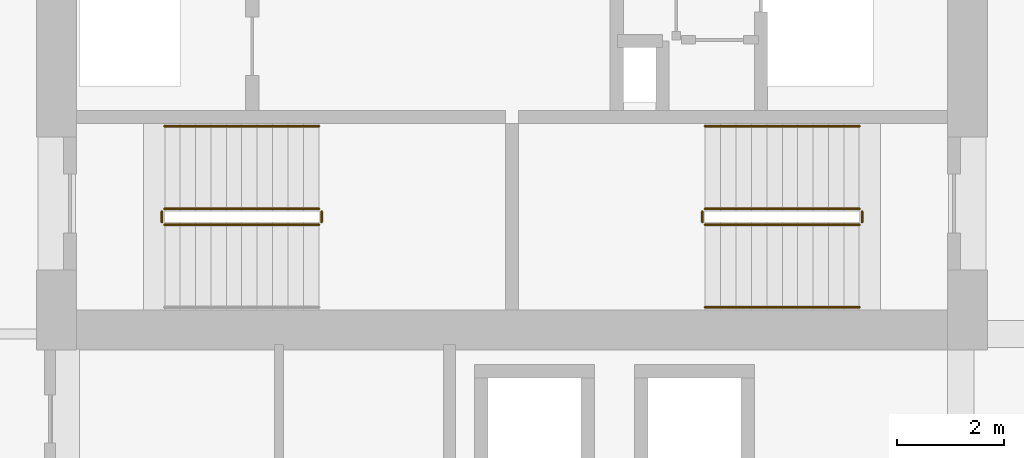
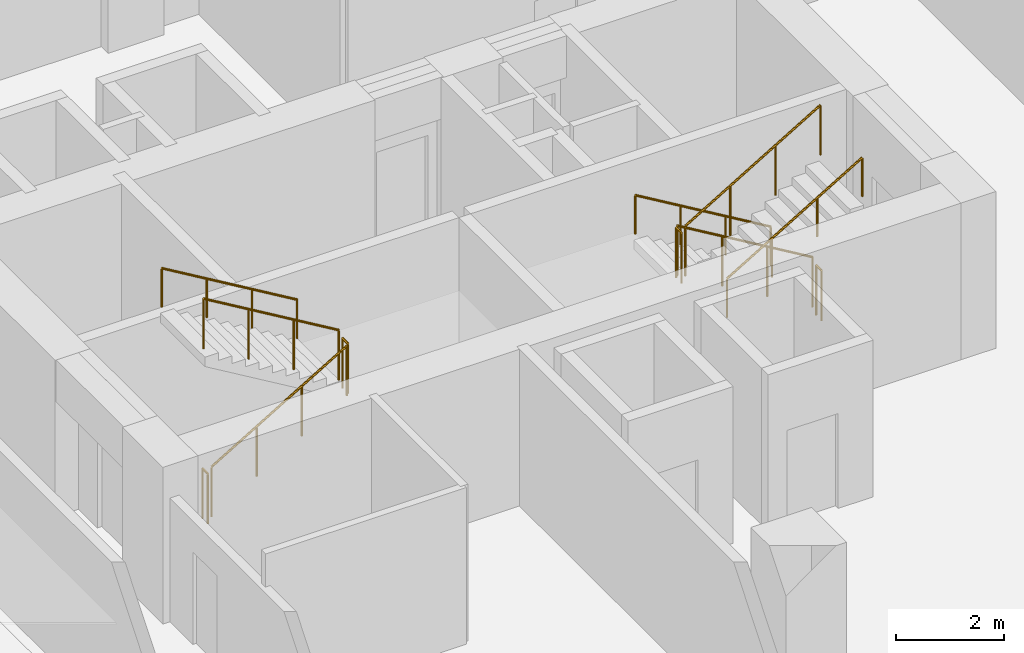
# One storey, part 21 of 23: 11 railings.
"""IFC4 building model written with IfcOpenShell, lengths in metres."""

from ifc_helpers import new_model, si_unit, direction, frame, origin, origin_2d, place, context, subcontext, project, spatial, circle, extrude, material, type_object, element, save


model = new_model("IFC4")

# Units and contexts
model_context = context("Model", 3, precision=1e-05, world=origin(), true_north=direction((0.0, 1.0)))
body_context = subcontext(model_context, "Body", "Model", "MODEL_VIEW")
ifc_project = project(units=[si_unit("LENGTHUNIT", "METRE"), si_unit("AREAUNIT", "SQUARE_METRE"), si_unit("VOLUMEUNIT", "CUBIC_METRE"), si_unit("PLANEANGLEUNIT", "RADIAN"), si_unit("MASSUNIT", "GRAM", prefix="KILO")], contexts=[model_context])

# Site, building, storey
site_placement = place(None, origin())
site = spatial("IfcSite", under=ifc_project, at=site_placement, CompositionType="ELEMENT")
building_placement = place(site_placement, origin())
building = spatial("IfcBuilding", under=site, at=building_placement, Name="Koriwani Terraces Tower", CompositionType="ELEMENT")
storey_placement = place(building_placement, frame((0.0, 0.0, 134.199951171875)))
storey = spatial("IfcBuildingStorey", under=building, at=storey_placement, Name="L32", CompositionType="ELEMENT", Elevation=134.199951171875)

# Railings
ifc_material = material(Name="Steel ASTM A572 Grade 50", Category="steel")
railing_type_1 = type_object("IfcRailingType", Name="GUARD_STAIR_WELL_1120", PredefinedType="GUARDRAIL", material=ifc_material)
railing_1_placement = place(storey_placement, frame((43.85009765625, 18.85009765625, 0.1728515625)))
element("IfcRailing", 1, at=railing_1_placement, inside=storey, type_object=railing_type_1, Name="L32 ST-E1 stair guard 1", PredefinedType="GUARDRAIL", context=body_context, shape_type="SweptSolid", body=[
    extrude(circle(Radius=0.02392578125, at=origin_2d()), frame((0.0, 0.0, 1.1259765625), z_axis=(0.859141464434, 0.0, 0.511738159696), x_axis=(0.0, 1.0, 0.0)), (0.0, 0.0, 1.0), 3.375244140625),
    extrude(circle(Radius=0.02099609375, at=origin_2d()), origin(), (0.0, 0.0, 1.0), 1.101806640625),
    extrude(circle(Radius=0.02099609375, at=origin_2d()), frame((0.966552734375, 0.0, 0.57568359375)), (0.0, 0.0, 1.0), 1.101806640625),
    extrude(circle(Radius=0.02099609375, at=origin_2d()), frame((1.933349609375, 0.0, 1.151611328125)), (0.0, 0.0, 1.0), 1.101806640625),
    extrude(circle(Radius=0.02099609375, at=origin_2d()), frame((2.89990234375, 0.0, 1.727294921875)), (0.0, 0.0, 1.0), 1.101806640625),
])
railing_2_placement = place(storey_placement, frame((46.800048828125, 18.89990234375, 1.900146484375)))
element("IfcRailing", 2, at=railing_2_placement, inside=storey, type_object=railing_type_1, Name="L32 ST-E1 stair guard 2", PredefinedType="GUARDRAIL", context=body_context, shape_type="SweptSolid", body=[
    extrude(circle(Radius=0.02392578125, at=origin_2d()), frame((0.0, 0.0, 1.1259765625), z_axis=(0.0, 1.0, 0.0), x_axis=(-1.0, 0.0, 0.0)), (0.0, 0.0, 1.0), 0.2001953125),
    extrude(circle(Radius=0.02099609375, at=origin_2d()), origin(), (0.0, 0.0, 1.0), 1.101806640625),
    extrude(circle(Radius=0.02099609375, at=origin_2d()), frame((0.0, 0.2001953125, 0.0)), (0.0, 0.0, 1.0), 1.101806640625),
])
railing_3_placement = place(storey_placement, frame((46.75, 19.14990234375, 2.07275390625)))
element("IfcRailing", 3, at=railing_3_placement, inside=storey, type_object=railing_type_1, Name="L32 ST-E1 stair guard 3", PredefinedType="GUARDRAIL", context=body_context, shape_type="SweptSolid", body=[
    extrude(circle(Radius=0.02392578125, at=origin_2d()), frame((0.0, 0.0, 1.1259765625), z_axis=(-0.859141464434, 0.0, 0.511738159696), x_axis=(0.0, -1.0, 0.0)), (0.0, 0.0, 1.0), 3.375244140625),
    extrude(circle(Radius=0.02099609375, at=origin_2d()), origin(), (0.0, 0.0, 1.0), 1.101806640625),
    extrude(circle(Radius=0.02099609375, at=origin_2d()), frame((-0.966552734375, 0.0, 0.57568359375)), (0.0, 0.0, 1.0), 1.101806640625),
    extrude(circle(Radius=0.02099609375, at=origin_2d()), frame((-1.933349609375, 0.0, 1.151611328125)), (0.0, 0.0, 1.0), 1.101806640625),
    extrude(circle(Radius=0.02099609375, at=origin_2d()), frame((-2.89990234375, 0.0, 1.727294921875)), (0.0, 0.0, 1.0), 1.101806640625),
])
railing_4_placement = place(storey_placement, frame((43.800048828125, 18.89990234375, 0.0)))
element("IfcRailing", 4, at=railing_4_placement, inside=storey, type_object=railing_type_1, Name="L32 ST-E1 stair guard 4", PredefinedType="GUARDRAIL", context=body_context, shape_type="SweptSolid", body=[
    extrude(circle(Radius=0.02392578125, at=origin_2d()), frame((0.0, 0.0, 1.1259765625), z_axis=(0.0, 1.0, 0.0), x_axis=(-1.0, 0.0, 0.0)), (0.0, 0.0, 1.0), 0.2001953125),
    extrude(circle(Radius=0.02099609375, at=origin_2d()), origin(), (0.0, 0.0, 1.0), 1.101806640625),
    extrude(circle(Radius=0.02099609375, at=origin_2d()), frame((0.0, 0.2001953125, 0.0)), (0.0, 0.0, 1.0), 1.101806640625),
])
railing_5_placement = place(storey_placement, frame((56.89990234375, 19.14990234375, 0.1728515625)))
element("IfcRailing", 5, at=railing_5_placement, inside=storey, type_object=railing_type_1, Name="L32 ST-E2 stair guard 1", PredefinedType="GUARDRAIL", context=body_context, shape_type="SweptSolid", body=[
    extrude(circle(Radius=0.02392578125, at=origin_2d()), frame((0.0, 0.0, 1.1259765625), z_axis=(-0.859141464434, 0.0, 0.511738159696), x_axis=(0.0, -1.0, 0.0)), (0.0, 0.0, 1.0), 3.375244140625),
    extrude(circle(Radius=0.02099609375, at=origin_2d()), origin(), (0.0, 0.0, 1.0), 1.101806640625),
    extrude(circle(Radius=0.02099609375, at=origin_2d()), frame((-0.966552734375, 0.0, 0.57568359375)), (0.0, 0.0, 1.0), 1.101806640625),
    extrude(circle(Radius=0.02099609375, at=origin_2d()), frame((-1.933349609375, 0.0, 1.151611328125)), (0.0, 0.0, 1.0), 1.101806640625),
    extrude(circle(Radius=0.02099609375, at=origin_2d()), frame((-2.89990234375, 0.0, 1.727294921875)), (0.0, 0.0, 1.0), 1.101806640625),
])
railing_6_placement = place(storey_placement, frame((53.949951171875, 19.10009765625, 1.900146484375)))
element("IfcRailing", 6, at=railing_6_placement, inside=storey, type_object=railing_type_1, Name="L32 ST-E2 stair guard 2", PredefinedType="GUARDRAIL", context=body_context, shape_type="SweptSolid", body=[
    extrude(circle(Radius=0.02392578125, at=origin_2d()), frame((0.0, 0.0, 1.1259765625), z_axis=(0.0, -1.0, 0.0), x_axis=(1.0, 0.0, 0.0)), (0.0, 0.0, 1.0), 0.2001953125),
    extrude(circle(Radius=0.02099609375, at=origin_2d()), origin(), (0.0, 0.0, 1.0), 1.101806640625),
    extrude(circle(Radius=0.02099609375, at=origin_2d()), frame((0.0, -0.2001953125, 0.0)), (0.0, 0.0, 1.0), 1.101806640625),
])
railing_7_placement = place(storey_placement, frame((54.0, 18.85009765625, 2.07275390625)))
element("IfcRailing", 7, at=railing_7_placement, inside=storey, type_object=railing_type_1, Name="L32 ST-E2 stair guard 3", PredefinedType="GUARDRAIL", context=body_context, shape_type="SweptSolid", body=[
    extrude(circle(Radius=0.02392578125, at=origin_2d()), frame((0.0, 0.0, 1.1259765625), z_axis=(0.859141464434, 0.0, 0.511738159696), x_axis=(0.0, 1.0, 0.0)), (0.0, 0.0, 1.0), 3.375244140625),
    extrude(circle(Radius=0.02099609375, at=origin_2d()), origin(), (0.0, 0.0, 1.0), 1.101806640625),
    extrude(circle(Radius=0.02099609375, at=origin_2d()), frame((0.966552734375, 0.0, 0.57568359375)), (0.0, 0.0, 1.0), 1.101806640625),
    extrude(circle(Radius=0.02099609375, at=origin_2d()), frame((1.933349609375, 0.0, 1.151611328125)), (0.0, 0.0, 1.0), 1.101806640625),
    extrude(circle(Radius=0.02099609375, at=origin_2d()), frame((2.89990234375, 0.0, 1.727294921875)), (0.0, 0.0, 1.0), 1.101806640625),
])
railing_8_placement = place(storey_placement, frame((56.949951171875, 19.10009765625, 0.0)))
element("IfcRailing", 8, at=railing_8_placement, inside=storey, type_object=railing_type_1, Name="L32 ST-E2 stair guard 4", PredefinedType="GUARDRAIL", context=body_context, shape_type="SweptSolid", body=[
    extrude(circle(Radius=0.02392578125, at=origin_2d()), frame((0.0, 0.0, 1.1259765625), z_axis=(0.0, -1.0, 0.0), x_axis=(1.0, 0.0, 0.0)), (0.0, 0.0, 1.0), 0.2001953125),
    extrude(circle(Radius=0.02099609375, at=origin_2d()), origin(), (0.0, 0.0, 1.0), 1.101806640625),
    extrude(circle(Radius=0.02099609375, at=origin_2d()), frame((0.0, -0.2001953125, 0.0)), (0.0, 0.0, 1.0), 1.101806640625),
])
railing_type_2 = type_object("IfcRailingType", Name="HANDRAIL_STAIR_920", PredefinedType="HANDRAIL", material=ifc_material)
for number, where, name in (
    (9, (46.75, 20.699951171875, 2.07275390625), "L32 ST-E1 stair handrail 2"),
    (10, (56.89990234375, 20.699951171875, 0.1728515625), "L32 ST-E2 stair handrail 1"),
):
    element("IfcRailing", number, at=place(storey_placement, frame(where)), inside=storey, type_object=railing_type_2, Name=name, PredefinedType="HANDRAIL", context=body_context, shape_type="SweptSolid", body=[
        extrude(circle(Radius=0.02392578125, at=origin_2d()), frame((0.0, 0.0, 0.8759765625), z_axis=(-0.859141464434, 0.0, 0.511738159696), x_axis=(0.0, -1.0, 0.0)), (0.0, 0.0, 1.0), 3.375244140625),
        extrude(circle(Radius=0.02099609375, at=origin_2d()), origin(), (0.0, 0.0, 1.0), 0.851806640625),
        extrude(circle(Radius=0.02099609375, at=origin_2d()), frame((-0.966552734375, 0.0, 0.57568359375)), (0.0, 0.0, 1.0), 0.851806640625),
        extrude(circle(Radius=0.02099609375, at=origin_2d()), frame((-1.933349609375, 0.0, 1.151611328125)), (0.0, 0.0, 1.0), 0.851806640625),
        extrude(circle(Radius=0.02099609375, at=origin_2d()), frame((-2.89990234375, 0.0, 1.727294921875)), (0.0, 0.0, 1.0), 0.851806640625),
    ])
railing_9_placement = place(storey_placement, frame((54.0, 17.300048828125, 2.07275390625)))
element("IfcRailing", 11, at=railing_9_placement, inside=storey, type_object=railing_type_2, Name="L32 ST-E2 stair handrail 2", PredefinedType="HANDRAIL", context=body_context, shape_type="SweptSolid", body=[
    extrude(circle(Radius=0.02392578125, at=origin_2d()), frame((0.0, 0.0, 0.8759765625), z_axis=(0.859141464434, 0.0, 0.511738159696), x_axis=(0.0, 1.0, 0.0)), (0.0, 0.0, 1.0), 3.375244140625),
    extrude(circle(Radius=0.02099609375, at=origin_2d()), origin(), (0.0, 0.0, 1.0), 0.851806640625),
    extrude(circle(Radius=0.02099609375, at=origin_2d()), frame((0.966552734375, 0.0, 0.57568359375)), (0.0, 0.0, 1.0), 0.851806640625),
    extrude(circle(Radius=0.02099609375, at=origin_2d()), frame((1.933349609375, 0.0, 1.151611328125)), (0.0, 0.0, 1.0), 0.851806640625),
    extrude(circle(Radius=0.02099609375, at=origin_2d()), frame((2.89990234375, 0.0, 1.727294921875)), (0.0, 0.0, 1.0), 0.851806640625),
])

save(model, "model.ifc")
